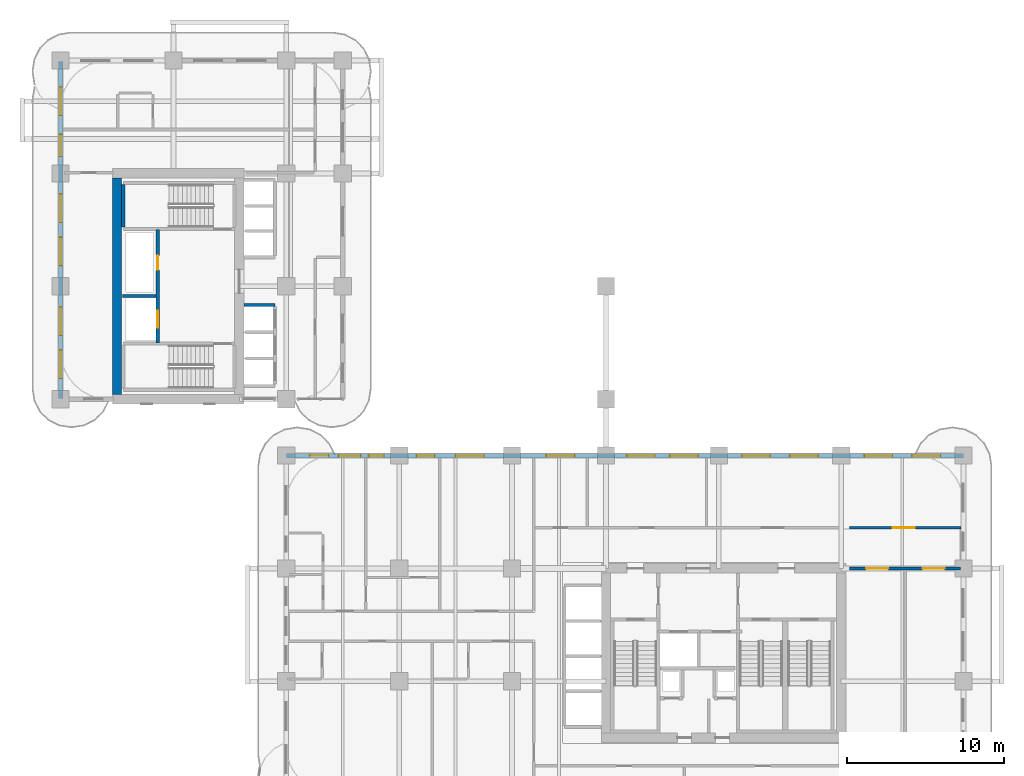
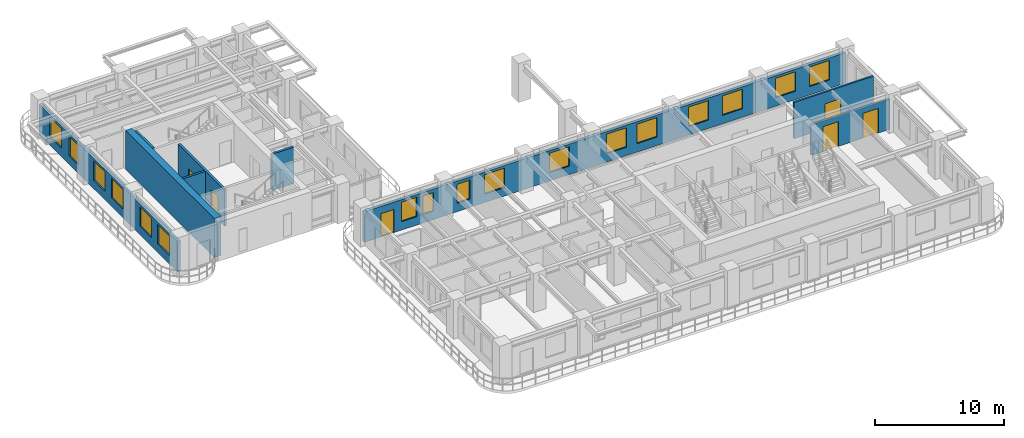
# One storey, part 10 of 19: 17 windows, 9 walls, 6 doors, 23 openings.
"""IFC4 building model written with IfcOpenShell, lengths in metres."""

from ifc_helpers import new_model, si_unit, derived_unit, direction, frame, frame_2d, origin, place, context, subcontext, project, spatial, rectangle, extrude, source, transform, mapped, material, layer, layer_set, type_object, type_shapes, element, fill, save


model = new_model("IFC4")

# Units and contexts
model_context = context("Model", 3, precision=1e-05, world=origin(), true_north=direction((0.0, 1.0)))
body_context = subcontext(model_context, "Body", "Model", "MODEL_VIEW")
ifc_project = project(units=[si_unit("LENGTHUNIT", "METRE"), si_unit("AREAUNIT", "SQUARE_METRE"), si_unit("VOLUMEUNIT", "CUBIC_METRE"), si_unit("PLANEANGLEUNIT", "RADIAN"), si_unit("MASSUNIT", "GRAM", prefix="KILO"), si_unit("THERMODYNAMICTEMPERATUREUNIT", "KELVIN"), si_unit("POWERUNIT", "WATT"), derived_unit("THERMALTRANSMITTANCEUNIT", [(si_unit("POWERUNIT", "WATT"), 1), (si_unit("AREAUNIT", "SQUARE_METRE"), -1), (si_unit("THERMODYNAMICTEMPERATUREUNIT", "KELVIN"), -1)])], contexts=[model_context])

# Site, building, storey
site_placement = place(None, origin())
site = spatial("IfcSite", under=ifc_project, at=site_placement, CompositionType="ELEMENT")
building_placement = place(site_placement, origin())
building = spatial("IfcBuilding", under=site, at=building_placement, Name="Zahravan Archway Hotel and Residences", CompositionType="ELEMENT")
storey_placement = place(building_placement, frame((0.0, 0.0, 43.5)))
storey = spatial("IfcBuildingStorey", under=building, at=storey_placement, Name="L09", CompositionType="ELEMENT", Elevation=43.5)

# Wall
ifc_material_1 = material(Name="Concrete C70/85", Category="concrete")
ifc_layer_1 = layer(ifc_material_1, 0.60009765625, Name="Concrete C70/85", Category="concrete")
ifc_layer_set_1 = layer_set([ifc_layer_1], Name="Concrete C70/85")
wall_type_1 = type_object("IfcWallType", Name="CW-CORE-600", PredefinedType="SHEAR", material=ifc_layer_set_1)
wall_1_placement = place(storey_placement, frame((3.60009765625, 25.5, 0.0), z_axis=(0.0, 0.0, 1.0), x_axis=(0.0, 1.0, 0.0)))
element("IfcWall", 1, at=wall_1_placement, inside=storey, type_object=wall_type_1, Name="L09 Core B Shear W Wall 600 mm", PredefinedType="SHEAR", context=body_context, shape_type="SweptSolid", body=[
    extrude(rectangle(XDim=13.800048828125, YDim=0.60009765625, at=frame_2d((6.89990234375, 0.0))), origin(), (0.0, 0.0, 1.0), 3.699951171875),
])

# Wall, openings, door, windows
ifc_material_2 = material(Name="Honed Red-Ochre Sandstone & Insulated Block", Category="masonry")
ifc_layer_2 = layer(ifc_material_2, 0.280029296875, Name="Honed Red-Ochre Sandstone & Insulated Block", Category="masonry")
ifc_layer_set_2 = layer_set([ifc_layer_2], Name="Honed Red-Ochre Sandstone & Insulated Block")
wall_type_2 = type_object("IfcWallType", Name="EW-LOG-280", PredefinedType="SOLIDWALL", material=ifc_layer_set_2)
wall_2_placement = place(storey_placement, frame((14.39990234375, 21.60009765625, 0.0), z_axis=(0.0, 0.0, 1.0), x_axis=(1.0, 0.0, 0.0)))
wall_2 = element("IfcWall", 2, at=wall_2_placement, inside=storey, type_object=wall_type_2, Name="L09 Exterior Sandstone Wall WA-NE", PredefinedType="SOLIDWALL", context=body_context, shape_type="SweptSolid", body=[
    extrude(rectangle(XDim=43.2001953125, YDim=0.280029296875, at=frame_2d((21.60009765625, 0.0))), origin(), (0.0, 0.0, 1.0), 2.885009765625),
])
opening_1_placement = place(wall_2_placement, frame((1.5, 0.0, 0.0)))
opening_1 = element("IfcOpeningElement", 3, at=opening_1_placement, cuts=wall_2, Name="Opening ED-BL1", PredefinedType="OPENING", context=body_context, shape_type="SweptSolid", body=[
    extrude(rectangle(XDim=1.199951171875, YDim=2.199951171875, at=frame_2d((0.60009765625, 1.10009765625))), frame((0.0, 0.14990234375, 0.0), z_axis=(0.0, -1.0, 0.0), x_axis=(1.0, 0.0, 0.0)), (0.0, 0.0, 1.0), 0.300048828125),
])
opening_2_placement = place(wall_2_placement, frame((3.3359375, 0.0, 0.800048828125)))
opening_2 = element("IfcOpeningElement", 4, at=opening_2_placement, cuts=wall_2, Name="Opening W-03", PredefinedType="OPENING", context=body_context, shape_type="SweptSolid", body=[
    extrude(rectangle(XDim=1.39990234375, YDim=1.85009765625, at=frame_2d((0.699951171875, 0.925048828125))), frame((0.0, 0.14990234375, 0.0), z_axis=(0.0, -1.0, 0.0), x_axis=(1.0, 0.0, 0.0)), (0.0, 0.0, 1.0), 0.300048828125),
])
opening_3_placement = place(wall_2_placement, frame((5.26904296875, 0.0, 0.800048828125)))
opening_3 = element("IfcOpeningElement", 5, at=opening_3_placement, cuts=wall_2, Name="Opening W-04", PredefinedType="OPENING", context=body_context, shape_type="SweptSolid", body=[
    extrude(rectangle(XDim=0.949951171875, YDim=1.75, at=frame_2d((0.47509765625, 0.875))), frame((0.0, 0.14990234375, 0.0), z_axis=(0.0, -1.0, 0.0), x_axis=(1.0, 0.0, 0.0)), (0.0, 0.0, 1.0), 0.300048828125),
])
opening_4_placement = place(wall_2_placement, frame((8.321044921875, 0.0, 0.800048828125)))
opening_4 = element("IfcOpeningElement", 6, at=opening_4_placement, cuts=wall_2, Name="Opening W-05", PredefinedType="OPENING", context=body_context, shape_type="SweptSolid", body=[
    extrude(rectangle(XDim=1.14990234375, YDim=1.800048828125, at=frame_2d((0.574951171875, 0.89990234375))), frame((0.0, 0.14990234375, 0.0), z_axis=(0.0, -1.0, 0.0), x_axis=(1.0, 0.0, 0.0)), (0.0, 0.0, 1.0), 0.300048828125),
])
opening_5_placement = place(wall_2_placement, frame((10.803955078125, 0.0, 0.800048828125)))
opening_5 = element("IfcOpeningElement", 7, at=opening_5_placement, cuts=wall_2, Name="Opening W-02", PredefinedType="OPENING", context=body_context, shape_type="SweptSolid", body=[
    extrude(rectangle(XDim=1.800048828125, YDim=1.85009765625, at=frame_2d((0.89990234375, 0.925048828125))), frame((0.0, 0.14990234375, 0.0), z_axis=(0.0, -1.0, 0.0), x_axis=(1.0, 0.0, 0.0)), (0.0, 0.0, 1.0), 0.300048828125),
])
opening_6_placement = place(wall_2_placement, frame((16.60107421875, 0.0, 0.800048828125)))
opening_6 = element("IfcOpeningElement", 8, at=opening_6_placement, cuts=wall_2, Name="Opening W-02", PredefinedType="OPENING", context=body_context, shape_type="SweptSolid", body=[
    extrude(rectangle(XDim=1.800048828125, YDim=1.85009765625, at=frame_2d((0.89990234375, 0.925048828125))), frame((0.0, 0.14990234375, 0.0), z_axis=(0.0, -1.0, 0.0), x_axis=(1.0, 0.0, 0.0)), (0.0, 0.0, 1.0), 0.300048828125),
])
opening_7_placement = place(wall_2_placement, frame((21.722900390625, 0.0, 0.800048828125)))
opening_7 = element("IfcOpeningElement", 9, at=opening_7_placement, cuts=wall_2, Name="Opening W-02", PredefinedType="OPENING", context=body_context, shape_type="SweptSolid", body=[
    extrude(rectangle(XDim=1.800048828125, YDim=1.85009765625, at=frame_2d((0.89990234375, 0.925048828125))), frame((0.0, 0.14990234375, 0.0), z_axis=(0.0, -1.0, 0.0), x_axis=(1.0, 0.0, 0.0)), (0.0, 0.0, 1.0), 0.300048828125),
])
opening_8_placement = place(wall_2_placement, frame((24.468994140625, 0.0, 0.800048828125)))
opening_8 = element("IfcOpeningElement", 10, at=opening_8_placement, cuts=wall_2, Name="Opening W-02", PredefinedType="OPENING", context=body_context, shape_type="SweptSolid", body=[
    extrude(rectangle(XDim=1.800048828125, YDim=1.85009765625, at=frame_2d((0.89990234375, 0.925048828125))), frame((0.0, 0.14990234375, 0.0), z_axis=(0.0, -1.0, 0.0), x_axis=(1.0, 0.0, 0.0)), (0.0, 0.0, 1.0), 0.300048828125),
])
opening_9_placement = place(wall_2_placement, frame((29.074951171875, 0.0, 0.800048828125)))
opening_9 = element("IfcOpeningElement", 11, at=opening_9_placement, cuts=wall_2, Name="Opening W-02", PredefinedType="OPENING", context=body_context, shape_type="SweptSolid", body=[
    extrude(rectangle(XDim=1.800048828125, YDim=1.85009765625, at=frame_2d((0.89990234375, 0.925048828125))), frame((0.0, 0.14990234375, 0.0), z_axis=(0.0, -1.0, 0.0), x_axis=(1.0, 0.0, 0.0)), (0.0, 0.0, 1.0), 0.300048828125),
])
opening_10_placement = place(wall_2_placement, frame((32.125, 0.0, 0.800048828125)))
opening_10 = element("IfcOpeningElement", 12, at=opening_10_placement, cuts=wall_2, Name="Opening W-02", PredefinedType="OPENING", context=body_context, shape_type="SweptSolid", body=[
    extrude(rectangle(XDim=1.800048828125, YDim=1.85009765625, at=frame_2d((0.89990234375, 0.925048828125))), frame((0.0, 0.14990234375, 0.0), z_axis=(0.0, -1.0, 0.0), x_axis=(1.0, 0.0, 0.0)), (0.0, 0.0, 1.0), 0.300048828125),
])
opening_11_placement = place(wall_2_placement, frame((36.875, 0.0, 0.800048828125)))
opening_11 = element("IfcOpeningElement", 13, at=opening_11_placement, cuts=wall_2, Name="Opening W-02", PredefinedType="OPENING", context=body_context, shape_type="SweptSolid", body=[
    extrude(rectangle(XDim=1.800048828125, YDim=1.85009765625, at=frame_2d((0.89990234375, 0.925048828125))), frame((0.0, 0.14990234375, 0.0), z_axis=(0.0, -1.0, 0.0), x_axis=(1.0, 0.0, 0.0)), (0.0, 0.0, 1.0), 0.300048828125),
])
opening_12_placement = place(wall_2_placement, frame((39.925048828125, 0.0, 0.800048828125)))
opening_12 = element("IfcOpeningElement", 14, at=opening_12_placement, cuts=wall_2, Name="Opening W-02", PredefinedType="OPENING", context=body_context, shape_type="SweptSolid", body=[
    extrude(rectangle(XDim=1.800048828125, YDim=1.85009765625, at=frame_2d((0.89990234375, 0.925048828125))), frame((0.0, 0.14990234375, 0.0), z_axis=(0.0, -1.0, 0.0), x_axis=(1.0, 0.0, 0.0)), (0.0, 0.0, 1.0), 0.300048828125),
])
ifc_material_3 = material(Name="Bronze-Anodized Glazed Aluminium", Category="aluminium")
door_type_1 = type_object("IfcDoorType", Name="ED-BALC-1200", OperationType="SLIDING_TO_LEFT", PredefinedType="DOOR", material=ifc_material_3)
shared_shape_1 = source(origin(), body_context, "Body", "SweptSolid", [
    extrude(rectangle(XDim=1.199951171875, YDim=2.199951171875, at=frame_2d((0.60009765625, 1.10009765625))), frame((0.0, 0.02490234375, 0.0), z_axis=(0.0, -1.0, 0.0), x_axis=(1.0, 0.0, 0.0)), (0.0, 0.0, 1.0), 0.050048828125),
])
type_shapes(door_type_1, [shared_shape_1])
door_1_placement = place(opening_1_placement, origin())
door_1 = element("IfcDoor", 15, at=door_1_placement, inside=storey, type_object=door_type_1, Name="L09 Outdoor Access Sliding Door (SLB-BAL-L09-WA)", OperationType="SLIDING_TO_LEFT", OverallHeight=2.199951171875, OverallWidth=1.199951171875, PredefinedType="DOOR", context=body_context, shape_type="MappedRepresentation", body=[
    mapped(shared_shape_1, transform((0.0, 0.0, 0.0), scale=1.0)),
])
fill(opening_1, door_1)
ifc_material_4 = material(Name="Bronze-Anodized Thermal-Break Aluminium & Low-E Glass", Category="aluminium")
window_type_1 = type_object("IfcWindowType", Name="WIN-TWR-1400", PartitioningType="SINGLE_PANEL", PredefinedType="WINDOW", material=ifc_material_4)
shared_shape_2 = source(origin(), body_context, "Body", "SweptSolid", [
    extrude(rectangle(XDim=1.39990234375, YDim=1.85009765625, at=frame_2d((0.699951171875, 0.925048828125))), frame((0.0, 0.030029296875, 0.0), z_axis=(0.0, -1.0, 0.0), x_axis=(1.0, 0.0, 0.0)), (0.0, 0.0, 1.0), 0.06005859375),
])
type_shapes(window_type_1, [shared_shape_2])
window_1_placement = place(opening_2_placement, origin())
window_1 = element("IfcWindow", 16, at=window_1_placement, inside=storey, type_object=window_type_1, Name="L09 Loggia Window 17", OverallHeight=1.85009765625, OverallWidth=1.39990234375, PartitioningType="SINGLE_PANEL", PredefinedType="WINDOW", context=body_context, shape_type="MappedRepresentation", body=[
    mapped(shared_shape_2, transform((0.0, 0.0, 0.0), scale=1.0)),
])
fill(opening_2, window_1)
window_type_2 = type_object("IfcWindowType", Name="WIN-NAR-950", PartitioningType="SINGLE_PANEL", PredefinedType="WINDOW", material=ifc_material_4)
shared_shape_3 = source(origin(), body_context, "Body", "SweptSolid", [
    extrude(rectangle(XDim=0.949951171875, YDim=1.75, at=frame_2d((0.47509765625, 0.875))), frame((0.0, 0.030029296875, 0.0), z_axis=(0.0, -1.0, 0.0), x_axis=(1.0, 0.0, 0.0)), (0.0, 0.0, 1.0), 0.06005859375),
])
type_shapes(window_type_2, [shared_shape_3])
window_2_placement = place(opening_3_placement, origin())
window_2 = element("IfcWindow", 17, at=window_2_placement, inside=storey, type_object=window_type_2, Name="L09 Loggia Window 18", OverallHeight=1.75, OverallWidth=0.949951171875, PartitioningType="SINGLE_PANEL", PredefinedType="WINDOW", context=body_context, shape_type="MappedRepresentation", body=[
    mapped(shared_shape_3, transform((0.0, 0.0, 0.0), scale=1.0)),
])
fill(opening_3, window_2)
window_type_3 = type_object("IfcWindowType", Name="WIN-TWR-1800", PartitioningType="DOUBLE_PANEL_VERTICAL", PredefinedType="WINDOW", material=ifc_material_4)
shared_shape_4 = source(origin(), body_context, "Body", "SweptSolid", [
    extrude(rectangle(XDim=1.800048828125, YDim=1.85009765625, at=frame_2d((0.89990234375, 0.925048828125))), frame((0.0, 0.030029296875, 0.0), z_axis=(0.0, -1.0, 0.0), x_axis=(1.0, 0.0, 0.0)), (0.0, 0.0, 1.0), 0.06005859375),
])
type_shapes(window_type_3, [shared_shape_4])
window_3_placement = place(opening_5_placement, origin())
window_3 = element("IfcWindow", 18, at=window_3_placement, inside=storey, type_object=window_type_3, Name="L09 Loggia Window 20", OverallHeight=1.85009765625, OverallWidth=1.800048828125, PartitioningType="DOUBLE_PANEL_VERTICAL", PredefinedType="WINDOW", context=body_context, shape_type="MappedRepresentation", body=[
    mapped(shared_shape_4, transform((0.0, 0.0, 0.0), scale=1.0)),
])
fill(opening_5, window_3)
window_4_placement = place(opening_6_placement, origin())
window_4 = element("IfcWindow", 19, at=window_4_placement, inside=storey, type_object=window_type_3, Name="L09 Loggia Window 21", OverallHeight=1.85009765625, OverallWidth=1.800048828125, PartitioningType="DOUBLE_PANEL_VERTICAL", PredefinedType="WINDOW", context=body_context, shape_type="MappedRepresentation", body=[
    mapped(shared_shape_4, transform((0.0, 0.0, 0.0), scale=1.0)),
])
fill(opening_6, window_4)
window_5_placement = place(opening_7_placement, origin())
window_5 = element("IfcWindow", 20, at=window_5_placement, inside=storey, type_object=window_type_3, Name="L09 Loggia Window 22", OverallHeight=1.85009765625, OverallWidth=1.800048828125, PartitioningType="DOUBLE_PANEL_VERTICAL", PredefinedType="WINDOW", context=body_context, shape_type="MappedRepresentation", body=[
    mapped(shared_shape_4, transform((0.0, 0.0, 0.0), scale=1.0)),
])
fill(opening_7, window_5)
window_6_placement = place(opening_8_placement, origin())
window_6 = element("IfcWindow", 21, at=window_6_placement, inside=storey, type_object=window_type_3, Name="L09 Loggia Window 23", OverallHeight=1.85009765625, OverallWidth=1.800048828125, PartitioningType="DOUBLE_PANEL_VERTICAL", PredefinedType="WINDOW", context=body_context, shape_type="MappedRepresentation", body=[
    mapped(shared_shape_4, transform((0.0, 0.0, 0.0), scale=1.0)),
])
fill(opening_8, window_6)
window_7_placement = place(opening_9_placement, origin())
window_7 = element("IfcWindow", 22, at=window_7_placement, inside=storey, type_object=window_type_3, Name="L09 Loggia Window 24", OverallHeight=1.85009765625, OverallWidth=1.800048828125, PartitioningType="DOUBLE_PANEL_VERTICAL", PredefinedType="WINDOW", context=body_context, shape_type="MappedRepresentation", body=[
    mapped(shared_shape_4, transform((0.0, 0.0, 0.0), scale=1.0)),
])
fill(opening_9, window_7)
window_8_placement = place(opening_10_placement, origin())
window_8 = element("IfcWindow", 23, at=window_8_placement, inside=storey, type_object=window_type_3, Name="L09 Loggia Window 25", OverallHeight=1.85009765625, OverallWidth=1.800048828125, PartitioningType="DOUBLE_PANEL_VERTICAL", PredefinedType="WINDOW", context=body_context, shape_type="MappedRepresentation", body=[
    mapped(shared_shape_4, transform((0.0, 0.0, 0.0), scale=1.0)),
])
fill(opening_10, window_8)
window_9_placement = place(opening_11_placement, origin())
window_9 = element("IfcWindow", 24, at=window_9_placement, inside=storey, type_object=window_type_3, Name="L09 Loggia Window 26", OverallHeight=1.85009765625, OverallWidth=1.800048828125, PartitioningType="DOUBLE_PANEL_VERTICAL", PredefinedType="WINDOW", context=body_context, shape_type="MappedRepresentation", body=[
    mapped(shared_shape_4, transform((0.0, 0.0, 0.0), scale=1.0)),
])
fill(opening_11, window_9)
window_10_placement = place(opening_12_placement, origin())
window_10 = element("IfcWindow", 25, at=window_10_placement, inside=storey, type_object=window_type_3, Name="L09 Loggia Window 27", OverallHeight=1.85009765625, OverallWidth=1.800048828125, PartitioningType="DOUBLE_PANEL_VERTICAL", PredefinedType="WINDOW", context=body_context, shape_type="MappedRepresentation", body=[
    mapped(shared_shape_4, transform((0.0, 0.0, 0.0), scale=1.0)),
])
fill(opening_12, window_10)
window_type_4 = type_object("IfcWindowType", Name="WIN-TWR-1150", PartitioningType="SINGLE_PANEL", PredefinedType="WINDOW", material=ifc_material_4)
shared_shape_5 = source(origin(), body_context, "Body", "SweptSolid", [
    extrude(rectangle(XDim=1.14990234375, YDim=1.800048828125, at=frame_2d((0.574951171875, 0.89990234375))), frame((0.0, 0.030029296875, 0.0), z_axis=(0.0, -1.0, 0.0), x_axis=(1.0, 0.0, 0.0)), (0.0, 0.0, 1.0), 0.06005859375),
])
type_shapes(window_type_4, [shared_shape_5])
window_11_placement = place(opening_4_placement, origin())
window_11 = element("IfcWindow", 26, at=window_11_placement, inside=storey, type_object=window_type_4, Name="L09 Loggia Window 19", OverallHeight=1.800048828125, OverallWidth=1.14990234375, PartitioningType="SINGLE_PANEL", PredefinedType="WINDOW", context=body_context, shape_type="MappedRepresentation", body=[
    mapped(shared_shape_5, transform((0.0, 0.0, 0.0), scale=1.0)),
])
fill(opening_4, window_11)

# Wall, openings, windows
wall_3_placement = place(storey_placement, frame((0.0, 25.25, 0.0), z_axis=(0.0, 0.0, 1.0), x_axis=(0.0, 1.0, 0.0)))
wall_3 = element("IfcWall", 27, at=wall_3_placement, inside=storey, type_object=wall_type_2, Name="L09 Exterior Sandstone Wall WB-W", PredefinedType="SOLIDWALL", context=body_context, shape_type="SweptSolid", body=[
    extrude(rectangle(XDim=21.5, YDim=0.280029296875, at=frame_2d((10.75, 0.0))), origin(), (0.0, 0.0, 1.0), 2.885009765625),
])
opening_13_placement = place(wall_3_placement, frame((1.27490234375, 0.0, 0.800048828125)))
opening_13 = element("IfcOpeningElement", 28, at=opening_13_placement, cuts=wall_3, Name="Opening W-02", PredefinedType="OPENING", context=body_context, shape_type="SweptSolid", body=[
    extrude(rectangle(XDim=1.800048828125, YDim=1.85009765625, at=frame_2d((0.89990234375, 0.925048828125))), frame((0.0, 0.14990234375, 0.0), z_axis=(0.0, -1.0, 0.0), x_axis=(1.0, 0.0, 0.0)), (0.0, 0.0, 1.0), 0.300048828125),
])
opening_14_placement = place(wall_3_placement, frame((4.02490234375, 0.0, 0.800048828125)))
opening_14 = element("IfcOpeningElement", 29, at=opening_14_placement, cuts=wall_3, Name="Opening W-02", PredefinedType="OPENING", context=body_context, shape_type="SweptSolid", body=[
    extrude(rectangle(XDim=1.800048828125, YDim=1.85009765625, at=frame_2d((0.89990234375, 0.925048828125))), frame((0.0, 0.14990234375, 0.0), z_axis=(0.0, -1.0, 0.0), x_axis=(1.0, 0.0, 0.0)), (0.0, 0.0, 1.0), 0.300048828125),
])
opening_15_placement = place(wall_3_placement, frame((8.47509765625, 0.0, 0.800048828125)))
opening_15 = element("IfcOpeningElement", 30, at=opening_15_placement, cuts=wall_3, Name="Opening W-02", PredefinedType="OPENING", context=body_context, shape_type="SweptSolid", body=[
    extrude(rectangle(XDim=1.800048828125, YDim=1.85009765625, at=frame_2d((0.89990234375, 0.925048828125))), frame((0.0, 0.14990234375, 0.0), z_axis=(0.0, -1.0, 0.0), x_axis=(1.0, 0.0, 0.0)), (0.0, 0.0, 1.0), 0.300048828125),
])
opening_16_placement = place(wall_3_placement, frame((11.22509765625, 0.0, 0.800048828125)))
opening_16 = element("IfcOpeningElement", 31, at=opening_16_placement, cuts=wall_3, Name="Opening W-02", PredefinedType="OPENING", context=body_context, shape_type="SweptSolid", body=[
    extrude(rectangle(XDim=1.800048828125, YDim=1.85009765625, at=frame_2d((0.89990234375, 0.925048828125))), frame((0.0, 0.14990234375, 0.0), z_axis=(0.0, -1.0, 0.0), x_axis=(1.0, 0.0, 0.0)), (0.0, 0.0, 1.0), 0.300048828125),
])
opening_17_placement = place(wall_3_placement, frame((15.447021484375, 0.0, 0.800048828125)))
opening_17 = element("IfcOpeningElement", 32, at=opening_17_placement, cuts=wall_3, Name="Opening W-03", PredefinedType="OPENING", context=body_context, shape_type="SweptSolid", body=[
    extrude(rectangle(XDim=1.39990234375, YDim=1.85009765625, at=frame_2d((0.699951171875, 0.925048828125))), frame((0.0, 0.14990234375, 0.0), z_axis=(0.0, -1.0, 0.0), x_axis=(1.0, 0.0, 0.0)), (0.0, 0.0, 1.0), 0.300048828125),
])
opening_18_placement = place(wall_3_placement, frame((18.052978515625, 0.0, 0.800048828125)))
opening_18 = element("IfcOpeningElement", 33, at=opening_18_placement, cuts=wall_3, Name="Opening W-02", PredefinedType="OPENING", context=body_context, shape_type="SweptSolid", body=[
    extrude(rectangle(XDim=1.800048828125, YDim=1.85009765625, at=frame_2d((0.89990234375, 0.925048828125))), frame((0.0, 0.14990234375, 0.0), z_axis=(0.0, -1.0, 0.0), x_axis=(1.0, 0.0, 0.0)), (0.0, 0.0, 1.0), 0.300048828125),
])
window_12_placement = place(opening_17_placement, origin())
window_12 = element("IfcWindow", 34, at=window_12_placement, inside=storey, type_object=window_type_1, Name="L09 Loggia Window 46", OverallHeight=1.85009765625, OverallWidth=1.39990234375, PartitioningType="SINGLE_PANEL", PredefinedType="WINDOW", context=body_context, shape_type="MappedRepresentation", body=[
    mapped(shared_shape_2, transform((0.0, 0.0, 0.0), scale=1.0)),
])
fill(opening_17, window_12)
window_13_placement = place(opening_13_placement, origin())
window_13 = element("IfcWindow", 35, at=window_13_placement, inside=storey, type_object=window_type_3, Name="L09 Loggia Window 42", OverallHeight=1.85009765625, OverallWidth=1.800048828125, PartitioningType="DOUBLE_PANEL_VERTICAL", PredefinedType="WINDOW", context=body_context, shape_type="MappedRepresentation", body=[
    mapped(shared_shape_4, transform((0.0, 0.0, 0.0), scale=1.0)),
])
fill(opening_13, window_13)
window_14_placement = place(opening_14_placement, origin())
window_14 = element("IfcWindow", 36, at=window_14_placement, inside=storey, type_object=window_type_3, Name="L09 Loggia Window 43", OverallHeight=1.85009765625, OverallWidth=1.800048828125, PartitioningType="DOUBLE_PANEL_VERTICAL", PredefinedType="WINDOW", context=body_context, shape_type="MappedRepresentation", body=[
    mapped(shared_shape_4, transform((0.0, 0.0, 0.0), scale=1.0)),
])
fill(opening_14, window_14)
window_15_placement = place(opening_15_placement, origin())
window_15 = element("IfcWindow", 37, at=window_15_placement, inside=storey, type_object=window_type_3, Name="L09 Loggia Window 44", OverallHeight=1.85009765625, OverallWidth=1.800048828125, PartitioningType="DOUBLE_PANEL_VERTICAL", PredefinedType="WINDOW", context=body_context, shape_type="MappedRepresentation", body=[
    mapped(shared_shape_4, transform((0.0, 0.0, 0.0), scale=1.0)),
])
fill(opening_15, window_15)
window_16_placement = place(opening_16_placement, origin())
window_16 = element("IfcWindow", 38, at=window_16_placement, inside=storey, type_object=window_type_3, Name="L09 Loggia Window 45", OverallHeight=1.85009765625, OverallWidth=1.800048828125, PartitioningType="DOUBLE_PANEL_VERTICAL", PredefinedType="WINDOW", context=body_context, shape_type="MappedRepresentation", body=[
    mapped(shared_shape_4, transform((0.0, 0.0, 0.0), scale=1.0)),
])
fill(opening_16, window_16)
window_17_placement = place(opening_18_placement, origin())
window_17 = element("IfcWindow", 39, at=window_17_placement, inside=storey, type_object=window_type_3, Name="L09 Loggia Window 47", OverallHeight=1.85009765625, OverallWidth=1.800048828125, PartitioningType="DOUBLE_PANEL_VERTICAL", PredefinedType="WINDOW", context=body_context, shape_type="MappedRepresentation", body=[
    mapped(shared_shape_4, transform((0.0, 0.0, 0.0), scale=1.0)),
])
fill(opening_18, window_17)

# Wall, opening, door
ifc_material_5 = material(Name="Fire-Rated Gypsum & Concrete Block", Category="concrete")
ifc_layer_3 = layer(ifc_material_5, 0.159912109375, Name="Fire-Rated Gypsum & Concrete Block", Category="concrete")
ifc_layer_set_3 = layer_set([ifc_layer_3], Name="Fire-Rated Gypsum & Concrete Block")
wall_type_3 = type_object("IfcWallType", Name="PW-CORR-160", PredefinedType="PARTITIONING", material=ifc_layer_set_3)
wall_4_placement = place(storey_placement, frame((50.340087890625, 17.0, 0.0), z_axis=(0.0, 0.0, 1.0), x_axis=(1.0, 0.0, 0.0)))
wall_4 = element("IfcWall", 40, at=wall_4_placement, inside=storey, type_object=wall_type_3, Name="L09 Partition EA-PN", PredefinedType="PARTITIONING", context=body_context, shape_type="SweptSolid", body=[
    extrude(rectangle(XDim=7.11181640625, YDim=0.159912109375, at=frame_2d((3.555908203125, 0.0))), origin(), (0.0, 0.0, 1.0), 3.449951171875),
])
opening_19_placement = place(wall_4_placement, frame((2.760009765625, 0.0, 0.0)))
opening_19 = element("IfcOpeningElement", 41, at=opening_19_placement, cuts=wall_4, Name="Opening D-P1", PredefinedType="OPENING", context=body_context, shape_type="SweptSolid", body=[
    extrude(rectangle(XDim=1.39990234375, YDim=2.35009765625, at=frame_2d((0.699951171875, 1.175048828125))), frame((0.0, 0.08984375, 0.0), z_axis=(0.0, -1.0, 0.0), x_axis=(1.0, 0.0, 0.0)), (0.0, 0.0, 1.0), 0.179931640625),
])
door_type_2 = type_object("IfcDoorType", Name="ID-PUBLIC-1400", OperationType="DOUBLE_DOOR_SINGLE_SWING", PredefinedType="DOOR", material=ifc_material_3)
shared_shape_6 = source(origin(), body_context, "Body", "SweptSolid", [
    extrude(rectangle(XDim=1.39990234375, YDim=2.35009765625, at=frame_2d((0.699951171875, 1.175048828125))), frame((0.0, 0.02490234375, 0.0), z_axis=(0.0, -1.0, 0.0), x_axis=(1.0, 0.0, 0.0)), (0.0, 0.0, 1.0), 0.050048828125),
])
type_shapes(door_type_2, [shared_shape_6])
door_2_placement = place(opening_19_placement, origin())
door_2 = element("IfcDoor", 42, at=door_2_placement, inside=storey, type_object=door_type_2, Name="L09 East Fitness Studio Door", OperationType="DOUBLE_DOOR_SINGLE_SWING", OverallHeight=2.35009765625, OverallWidth=1.39990234375, PredefinedType="DOOR", context=body_context, shape_type="MappedRepresentation", body=[
    mapped(shared_shape_6, transform((0.0, 0.0, 0.0), scale=1.0)),
])
fill(opening_19, door_2)

# Wall, openings, doors
ifc_layer_4 = layer(ifc_material_5, 0.199951171875, Name="Fire-Rated Gypsum & Concrete Block", Category="concrete")
ifc_layer_set_4 = layer_set([ifc_layer_4], Name="Fire-Rated Gypsum & Concrete Block")
wall_type_4 = type_object("IfcWallType", Name="PW-SHAFT-200", PredefinedType="PARTITIONING", material=ifc_layer_set_4)
wall_5_placement = place(storey_placement, frame((6.199951171875, 28.7900390625, 0.0), z_axis=(0.0, 0.0, 1.0), x_axis=(0.0, 1.0, 0.0)))
wall_5 = element("IfcWall", 43, at=wall_5_placement, inside=storey, type_object=wall_type_4, Name="L09 Partition CB-FL3E", PredefinedType="PARTITIONING", context=body_context, shape_type="SweptSolid", body=[
    extrude(rectangle(XDim=7.219970703125, YDim=0.199951171875, at=frame_2d((3.60986328125, 0.0))), origin(), (0.0, 0.0, 1.0), 3.449951171875),
])
opening_20_placement = place(wall_5_placement, frame((4.659912109375, 0.0, 0.0)))
opening_20 = element("IfcOpeningElement", 44, at=opening_20_placement, cuts=wall_5, Name="Opening FD-R1", PredefinedType="OPENING", context=body_context, shape_type="SweptSolid", body=[
    extrude(rectangle(XDim=0.89990234375, YDim=2.10009765625, at=frame_2d((0.449951171875, 1.050048828125))), frame((0.0, 0.10986328125, 0.0), z_axis=(0.0, -1.0, 0.0), x_axis=(1.0, 0.0, 0.0)), (0.0, 0.0, 1.0), 0.219970703125),
])
opening_21_placement = place(wall_5_placement, frame((0.9599609375, 0.0, 0.0)))
opening_21 = element("IfcOpeningElement", 45, at=opening_21_placement, cuts=wall_5, Name="Opening LD", PredefinedType="OPENING", context=body_context, shape_type="SweptSolid", body=[
    extrude(rectangle(XDim=1.10009765625, YDim=2.199951171875, at=frame_2d((0.550048828125, 1.10009765625))), frame((0.0, 0.10986328125, 0.0), z_axis=(0.0, -1.0, 0.0), x_axis=(1.0, 0.0, 0.0)), (0.0, 0.0, 1.0), 0.219970703125),
])
ifc_material_6 = material(Name="Fire-Rated Painted Steel", Category="steel")
door_type_3 = type_object("IfcDoorType", Name="FD-RISER-900", OperationType="NOTDEFINED", PredefinedType="DOOR", material=ifc_material_6)
shared_shape_7 = source(origin(), body_context, "Body", "SweptSolid", [
    extrude(rectangle(XDim=0.89990234375, YDim=2.10009765625, at=frame_2d((0.449951171875, 1.050048828125))), frame((0.0, 0.02490234375, 0.0), z_axis=(0.0, -1.0, 0.0), x_axis=(1.0, 0.0, 0.0)), (0.0, 0.0, 1.0), 0.050048828125),
])
type_shapes(door_type_3, [shared_shape_7])
door_3_placement = place(opening_20_placement, origin())
door_3 = element("IfcDoor", 46, at=door_3_placement, inside=storey, type_object=door_type_3, Name="L09 Core B Riser Door", OperationType="SINGLE_SWING_RIGHT", OverallHeight=2.10009765625, OverallWidth=0.89990234375, PredefinedType="DOOR", context=body_context, shape_type="MappedRepresentation", body=[
    mapped(shared_shape_7, transform((0.0, 0.0, 0.0), scale=1.0)),
])
fill(opening_20, door_3)
ifc_material_7 = material(Name="Brushed Stainless Steel", Category="steel")
door_type_4 = type_object("IfcDoorType", Name="DR-LIFT-LD", OperationType="SLIDING_TO_LEFT", PredefinedType="DOOR", material=ifc_material_7)
shared_shape_8 = source(origin(), body_context, "Body", "SweptSolid", [
    extrude(rectangle(XDim=1.10009765625, YDim=2.199951171875, at=frame_2d((0.550048828125, 1.10009765625))), frame((0.0, 0.02490234375, 0.0), z_axis=(0.0, -1.0, 0.0), x_axis=(1.0, 0.0, 0.0)), (0.0, 0.0, 1.0), 0.050048828125),
])
type_shapes(door_type_4, [shared_shape_8])
door_4_placement = place(opening_21_placement, origin())
door_4 = element("IfcDoor", 47, at=door_4_placement, inside=storey, type_object=door_type_4, Name="L09 Lift FL-3 Sliding Landing Door", OperationType="SLIDING_TO_LEFT", OverallHeight=2.199951171875, OverallWidth=1.10009765625, PredefinedType="DOOR", context=body_context, shape_type="MappedRepresentation", body=[
    mapped(shared_shape_8, transform((0.0, 0.0, 0.0), scale=1.0)),
])
fill(opening_21, door_4)

# Walls
wall_6_placement = place(storey_placement, frame((3.9599609375, 31.780029296875, 0.0), z_axis=(0.0, 0.0, 1.0), x_axis=(1.0, 0.0, 0.0)))
element("IfcWall", 48, at=wall_6_placement, inside=storey, type_object=wall_type_4, Name="L09 Partition CB-FL3N", PredefinedType="PARTITIONING", context=body_context, shape_type="SweptSolid", body=[
    extrude(rectangle(XDim=2.130126953125, YDim=0.199951171875, at=frame_2d((1.06494140625, 0.0))), origin(), (0.0, 0.0, 1.0), 3.449951171875),
])
wall_7_placement = place(storey_placement, frame((11.7099609375, 31.2099609375, 0.0), z_axis=(0.0, 0.0, 1.0), x_axis=(1.0, 0.0, 0.0)))
element("IfcWall", 49, at=wall_7_placement, inside=storey, type_object=wall_type_4, Name="L09 Partition B1-N", PredefinedType="PARTITIONING", context=body_context, shape_type="SweptSolid", body=[
    extrude(rectangle(XDim=1.9599609375, YDim=0.199951171875, at=frame_2d((0.97998046875, 0.0))), origin(), (0.0, 0.0, 1.0), 3.449951171875),
])

# Wall, openings, doors
ifc_material_8 = material(Name="Acoustic Stud Partition")
ifc_layer_5 = layer(ifc_material_8, 0.169921875, Name="Acoustic Stud Partition")
ifc_layer_set_5 = layer_set([ifc_layer_5], Name="Acoustic Stud Partition")
wall_type_5 = type_object("IfcWallType", Name="PW-UNIT-170", PredefinedType="PARTITIONING", material=ifc_layer_set_5)
wall_8_placement = place(storey_placement, frame((50.340087890625, 14.39990234375, 0.0), z_axis=(0.0, 0.0, 1.0), x_axis=(1.0, 0.0, 0.0)))
wall_8 = element("IfcWall", 50, at=wall_8_placement, inside=storey, type_object=wall_type_5, Name="L09 Partition EA-PS", PredefinedType="PARTITIONING", context=body_context, shape_type="SweptSolid", body=[
    extrude(rectangle(XDim=7.06982421875, YDim=0.169921875, at=frame_2d((3.534912109375, 0.0))), origin(), (0.0, 0.0, 1.0), 2.885009765625),
])
opening_22_placement = place(wall_8_placement, frame((1.06005859375, 0.0, 0.0)))
opening_22 = element("IfcOpeningElement", 51, at=opening_22_placement, cuts=wall_8, Name="Opening D-P1", PredefinedType="OPENING", context=body_context, shape_type="SweptSolid", body=[
    extrude(rectangle(XDim=1.39990234375, YDim=2.35009765625, at=frame_2d((0.699951171875, 1.175048828125))), frame((0.0, 0.094970703125, 0.0), z_axis=(0.0, -1.0, 0.0), x_axis=(1.0, 0.0, 0.0)), (0.0, 0.0, 1.0), 0.18994140625),
])
opening_23_placement = place(wall_8_placement, frame((4.659912109375, 0.0, 0.0)))
opening_23 = element("IfcOpeningElement", 52, at=opening_23_placement, cuts=wall_8, Name="Opening D-P1", PredefinedType="OPENING", context=body_context, shape_type="SweptSolid", body=[
    extrude(rectangle(XDim=1.39990234375, YDim=2.35009765625, at=frame_2d((0.699951171875, 1.175048828125))), frame((0.0, 0.094970703125, 0.0), z_axis=(0.0, -1.0, 0.0), x_axis=(1.0, 0.0, 0.0)), (0.0, 0.0, 1.0), 0.18994140625),
])
door_5_placement = place(opening_22_placement, origin())
door_5 = element("IfcDoor", 53, at=door_5_placement, inside=storey, type_object=door_type_2, Name="L09 East Conference Room Door", OperationType="DOUBLE_DOOR_SINGLE_SWING", OverallHeight=2.35009765625, OverallWidth=1.39990234375, PredefinedType="DOOR", context=body_context, shape_type="MappedRepresentation", body=[
    mapped(shared_shape_6, transform((0.0, 0.0, 0.0), scale=1.0)),
])
fill(opening_22, door_5)
door_6_placement = place(opening_23_placement, origin())
door_6 = element("IfcDoor", 54, at=door_6_placement, inside=storey, type_object=door_type_2, Name="L09 East Salon Door", OperationType="DOUBLE_DOOR_SINGLE_SWING", OverallHeight=2.35009765625, OverallWidth=1.39990234375, PredefinedType="DOOR", context=body_context, shape_type="MappedRepresentation", body=[
    mapped(shared_shape_6, transform((0.0, 0.0, 0.0), scale=1.0)),
])
fill(opening_23, door_6)

# Wall
ifc_material_9 = material(Name="Concrete C50/60", Category="concrete")
ifc_layer_6 = layer(ifc_material_9, 0.199951171875, Name="Concrete C50/60", Category="concrete")
ifc_layer_set_6 = layer_set([ifc_layer_6], Name="Concrete C50/60")
wall_type_6 = type_object("IfcWallType", Name="SW-STAIR-200", PredefinedType="SHEAR", material=ifc_layer_set_6)
wall_9_placement = place(storey_placement, frame((4.0, 36.179931640625, 0.0), z_axis=(0.0, 0.0, 1.0), x_axis=(0.0, 1.0, 0.0)))
element("IfcWall", 55, at=wall_9_placement, inside=storey, type_object=wall_type_6, Name="L09 Stairwell RC Wall CB-SB2W", PredefinedType="SHEAR", context=body_context, shape_type="SweptSolid", body=[
    extrude(rectangle(XDim=2.699951171875, YDim=0.199951171875, at=frame_2d((1.35009765625, 0.0))), origin(), (0.0, 0.0, 1.0), 3.699951171875),
])

save(model, "model.ifc")
